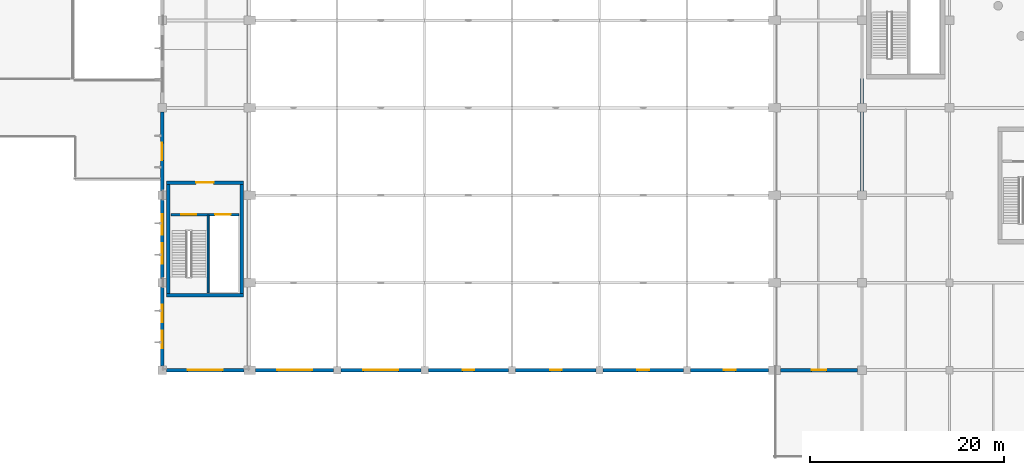
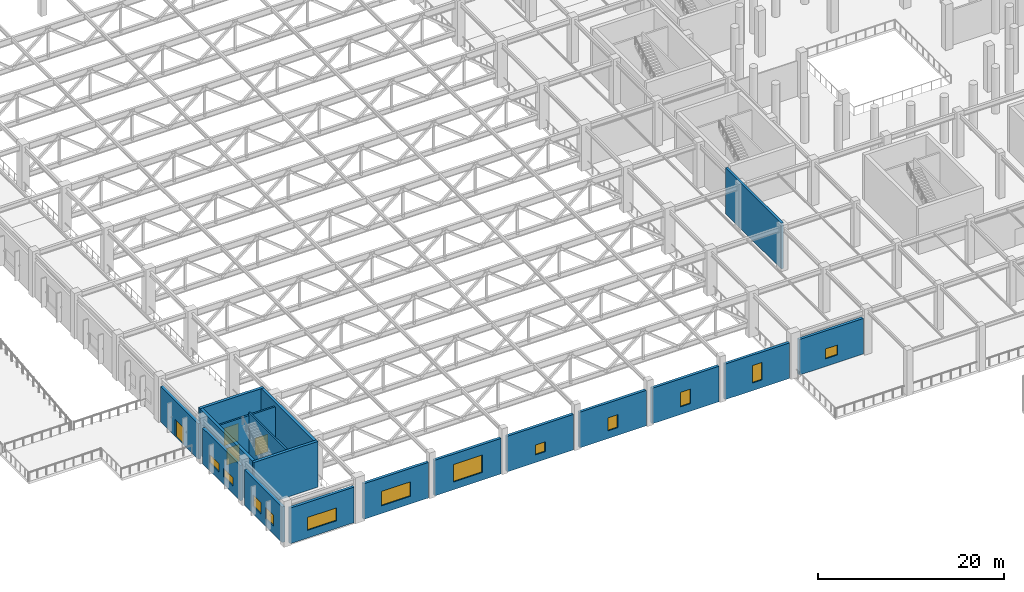
# One storey, part 188 of 223: 18 walls, 12 windows, 4 doors, 16 openings.
"""IFC4 building model written with IfcOpenShell, lengths in metres."""

from ifc_helpers import new_model, si_unit, direction, frame, frame_2d, origin, place, context, subcontext, project, spatial, rectangle, extrude, material, layer, layer_set, type_object, element, fill, save


model = new_model("IFC4")

# Units and contexts
model_context = context("Model", 3, precision=1e-05, world=origin(), true_north=direction((0.0, 1.0)))
body_context = subcontext(model_context, "Body", "Model", "MODEL_VIEW")
ifc_project = project(units=[si_unit("LENGTHUNIT", "METRE"), si_unit("AREAUNIT", "SQUARE_METRE"), si_unit("VOLUMEUNIT", "CUBIC_METRE"), si_unit("PLANEANGLEUNIT", "RADIAN"), si_unit("MASSUNIT", "GRAM", prefix="KILO")], contexts=[model_context])

# Site, building, storey
site_placement = place(None, origin())
site = spatial("IfcSite", under=ifc_project, at=site_placement, CompositionType="ELEMENT")
building_placement = place(site_placement, origin())
building = spatial("IfcBuilding", under=site, at=building_placement, Name="Dornveld Trade and Exhibition Forum", CompositionType="ELEMENT")
storey_placement = place(building_placement, frame((0.0, 0.0, 6.0)))
storey = spatial("IfcBuildingStorey", under=building, at=storey_placement, Name="L01", CompositionType="ELEMENT", Elevation=6.0)

# Wall
ifc_material_1 = material(Name="Concrete C40/50", Category="concrete")
ifc_layer_1 = layer(ifc_material_1, 0.35009765625)
ifc_layer_set_1 = layer_set([ifc_layer_1], Name="Concrete C40/50")
wall_type_1 = type_object("IfcWallType", Name="WL-CORE-350", PredefinedType="SHEAR", material=ifc_layer_set_1)
wall_1_placement = place(storey_placement, frame((18.425048828125, 43.699951171875, 0.0), z_axis=(0.0, 0.0, 1.0), x_axis=(1.0, 0.0, 0.0)))
element("IfcWall", 1, at=wall_1_placement, inside=storey, type_object=wall_type_1, Name="CORE-09 L01 shear wall S", PredefinedType="SHEAR", context=body_context, shape_type="SweptSolid", body=[
    extrude(rectangle(XDim=7.949951171875, YDim=0.35009765625, at=frame_2d((3.97509765625, 0.0))), origin(), (0.0, 0.0, 1.0), 6.0),
])

# Wall, opening, door
wall_2_placement = place(storey_placement, frame((18.425048828125, 55.300048828125, 0.0), z_axis=(0.0, 0.0, 1.0), x_axis=(1.0, 0.0, 0.0)))
wall_2 = element("IfcWall", 2, at=wall_2_placement, inside=storey, type_object=wall_type_1, Name="CORE-09 L01 shear wall N", PredefinedType="SHEAR", context=body_context, shape_type="SweptSolid", body=[
    extrude(rectangle(XDim=7.949951171875, YDim=0.35009765625, at=frame_2d((3.97509765625, 0.0))), origin(), (0.0, 0.0, 1.0), 6.0),
])
opening_1_placement = place(wall_2_placement, frame((3.074951171875, 0.0, 0.0)))
opening_1 = element("IfcOpeningElement", 3, at=opening_1_placement, cuts=wall_2, Name="Opening CD-09-L01", PredefinedType="OPENING", context=body_context, shape_type="SweptSolid", body=[
    extrude(rectangle(XDim=1.800048828125, YDim=2.300048828125, at=frame_2d((0.89990234375, 1.14990234375))), frame((0.0, 0.18505859375, 0.0), z_axis=(0.0, -1.0, 0.0), x_axis=(1.0, 0.0, 0.0)), (0.0, 0.0, 1.0), 0.3701171875),
])
ifc_material_2 = material(Name="Steel fire-rated double door assembly", Category="steel")
door_type_1 = type_object("IfcDoorType", Name="DR-CORE-180x230", OperationType="NOTDEFINED", PredefinedType="DOOR", material=ifc_material_2)
door_1_placement = place(opening_1_placement, origin())
door_1 = element("IfcDoor", 4, at=door_1_placement, inside=storey, type_object=door_type_1, Name="CORE-09 L01 core lobby double fire door", OperationType="DOUBLE_DOOR_SINGLE_SWING", OverallHeight=2.300048828125, OverallWidth=1.800048828125, PredefinedType="DOOR", context=body_context, shape_type="SweptSolid", body=[
    extrude(rectangle(XDim=1.800048828125, YDim=2.300048828125, at=frame_2d((0.89990234375, 1.14990234375))), frame((0.0, 0.02490234375, 0.0), z_axis=(0.0, -1.0, 0.0), x_axis=(1.0, 0.0, 0.0)), (0.0, 0.0, 1.0), 0.050048828125),
])
fill(opening_1, door_1)

# Walls
for number, where, z_axis, x_axis, name in (
    (5, (18.60009765625, 43.875, 0.0), (0.0, 0.0, 1.0), (0.0, 1.0, 0.0), "CORE-09 L01 shear wall W"),
    (6, (26.199951171875, 43.875, 0.0), (0.0, 0.0, 1.0), (0.0, 1.0, 0.0), "CORE-09 L01 shear wall E"),
):
    element("IfcWall", number, at=place(storey_placement, frame(where, z_axis=z_axis, x_axis=x_axis)), inside=storey, type_object=wall_type_1, Name=name, PredefinedType="SHEAR", context=body_context, shape_type="SweptSolid", body=[
        extrude(rectangle(XDim=11.25, YDim=0.35009765625, at=frame_2d((5.625, 0.0))), origin(), (0.0, 0.0, 1.0), 6.0),
    ])
ifc_material_3 = material(Name="Concrete C40/50", Category="concrete")
ifc_layer_2 = layer(ifc_material_3, 0.300048828125)
ifc_layer_set_2 = layer_set([ifc_layer_2], Name="Concrete C40/50")
wall_type_2 = type_object("IfcWallType", Name="WL-DIV-300", PredefinedType="SHEAR", material=ifc_layer_set_2)
wall_3_placement = place(storey_placement, frame((90.0, 54.0, 0.0), z_axis=(0.0, 0.0, 1.0), x_axis=(0.0, 1.0, 0.0)))
element("IfcWall", 7, at=wall_3_placement, inside=storey, type_object=wall_type_2, Name="L01 fire division shear wall 7", PredefinedType="SHEAR", context=body_context, shape_type="SweptSolid", body=[
    extrude(rectangle(XDim=12.0, YDim=0.300048828125, at=frame_2d((6.0, 0.0))), origin(), (0.0, 0.0, 1.0), 6.0),
])

# Wall, openings, windows
ifc_material_4 = material(Name="Precast concrete C50/60", Category="concrete")
ifc_layer_3 = layer(ifc_material_4, 0.340087890625)
ifc_layer_set_3 = layer_set([ifc_layer_3], Name="Precast concrete C50/60")
wall_type_3 = type_object("IfcWallType", Name="WL-EXT-PC340", PredefinedType="SOLIDWALL", material=ifc_layer_set_3)
wall_4_placement = place(storey_placement, frame((18.0, 44.550537109375, 0.0), z_axis=(0.0, 0.0, 1.0), x_axis=(0.0, -1.0, 0.0)))
wall_4 = element("IfcWall", 8, at=wall_4_placement, inside=storey, type_object=wall_type_3, Name="L01 precast facade wall 37", PredefinedType="SOLIDWALL", context=body_context, shape_type="SweptSolid", body=[
    extrude(rectangle(XDim=8.10107421875, YDim=0.340087890625, at=frame_2d((4.050537109375, 0.0))), origin(), (0.0, 0.0, 1.0), 4.659912109375),
])
opening_2_placement = place(wall_4_placement, frame((1.800537109375, 0.0, 1.0)))
opening_2 = element("IfcOpeningElement", 9, at=opening_2_placement, cuts=wall_4, Name="Opening W-17", PredefinedType="OPENING", context=body_context, shape_type="SweptSolid", body=[
    extrude(rectangle(XDim=1.800048828125, YDim=1.5, at=frame_2d((0.89990234375, 0.75))), frame((0.0, 0.179931640625, 0.0), z_axis=(0.0, -1.0, 0.0), x_axis=(1.0, 0.0, 0.0)), (0.0, 0.0, 1.0), 0.360107421875),
])
opening_3_placement = place(wall_4_placement, frame((4.50048828125, 0.0, 1.0)))
opening_3 = element("IfcOpeningElement", 10, at=opening_3_placement, cuts=wall_4, Name="Opening W-17", PredefinedType="OPENING", context=body_context, shape_type="SweptSolid", body=[
    extrude(rectangle(XDim=1.800048828125, YDim=1.5, at=frame_2d((0.89990234375, 0.75))), frame((0.0, 0.179931640625, 0.0), z_axis=(0.0, -1.0, 0.0), x_axis=(1.0, 0.0, 0.0)), (0.0, 0.0, 1.0), 0.360107421875),
])
ifc_material_5 = material(Name="Dark-bronze anodised aluminium and low-E glass", Category="aluminium")
window_type_1 = type_object("IfcWindowType", Name="WIN-AL-17", PartitioningType="SINGLE_PANEL", PredefinedType="WINDOW", material=ifc_material_5)
window_1_placement = place(opening_2_placement, origin())
window_1 = element("IfcWindow", 11, at=window_1_placement, inside=storey, type_object=window_type_1, Name="L01 facade window 17", OverallHeight=1.5, OverallWidth=1.800048828125, PartitioningType="SINGLE_PANEL", PredefinedType="WINDOW", context=body_context, shape_type="SweptSolid", body=[
    extrude(rectangle(XDim=1.800048828125, YDim=1.5, at=frame_2d((0.89990234375, 0.75))), frame((0.0, 0.030029296875, 0.0), z_axis=(0.0, -1.0, 0.0), x_axis=(1.0, 0.0, 0.0)), (0.0, 0.0, 1.0), 0.06005859375),
])
fill(opening_2, window_1)
window_2_placement = place(opening_3_placement, origin())
window_2 = element("IfcWindow", 12, at=window_2_placement, inside=storey, type_object=window_type_1, Name="L01 facade window 18", OverallHeight=1.5, OverallWidth=1.800048828125, PartitioningType="SINGLE_PANEL", PredefinedType="WINDOW", context=body_context, shape_type="SweptSolid", body=[
    extrude(rectangle(XDim=1.800048828125, YDim=1.5, at=frame_2d((0.89990234375, 0.75))), frame((0.0, 0.030029296875, 0.0), z_axis=(0.0, -1.0, 0.0), x_axis=(1.0, 0.0, 0.0)), (0.0, 0.0, 1.0), 0.06005859375),
])
fill(opening_3, window_2)

wall_5_placement = place(storey_placement, frame((18.0, 53.550537109375, 0.0), z_axis=(0.0, 0.0, 1.0), x_axis=(0.0, -1.0, 0.0)))
wall_5 = element("IfcWall", 13, at=wall_5_placement, inside=storey, type_object=wall_type_3, Name="L01 precast facade wall 41", PredefinedType="SOLIDWALL", context=body_context, shape_type="SweptSolid", body=[
    extrude(rectangle(XDim=8.10107421875, YDim=0.340087890625, at=frame_2d((4.050537109375, 0.0))), origin(), (0.0, 0.0, 1.0), 4.659912109375),
])
opening_4_placement = place(wall_5_placement, frame((1.50048828125, 0.0, 1.0)))
opening_4 = element("IfcOpeningElement", 14, at=opening_4_placement, cuts=wall_5, Name="Opening W-22", PredefinedType="OPENING", context=body_context, shape_type="SweptSolid", body=[
    extrude(rectangle(XDim=2.10009765625, YDim=1.10009765625, at=frame_2d((1.050048828125, 0.550048828125))), frame((0.0, 0.179931640625, 0.0), z_axis=(0.0, -1.0, 0.0), x_axis=(1.0, 0.0, 0.0)), (0.0, 0.0, 1.0), 0.360107421875),
])
opening_5_placement = place(wall_5_placement, frame((4.50048828125, 0.0, 1.0)))
opening_5 = element("IfcOpeningElement", 15, at=opening_5_placement, cuts=wall_5, Name="Opening W-22", PredefinedType="OPENING", context=body_context, shape_type="SweptSolid", body=[
    extrude(rectangle(XDim=2.10009765625, YDim=1.10009765625, at=frame_2d((1.050048828125, 0.550048828125))), frame((0.0, 0.179931640625, 0.0), z_axis=(0.0, -1.0, 0.0), x_axis=(1.0, 0.0, 0.0)), (0.0, 0.0, 1.0), 0.360107421875),
])
ifc_material_6 = material(Name="Dark-bronze anodised aluminium and low-E glass", Category="aluminium")
window_type_2 = type_object("IfcWindowType", Name="WIN-AL-22", PartitioningType="DOUBLE_PANEL_VERTICAL", PredefinedType="WINDOW", material=ifc_material_6)
window_3_placement = place(opening_4_placement, origin())
window_3 = element("IfcWindow", 16, at=window_3_placement, inside=storey, type_object=window_type_2, Name="L01 facade window 22", OverallHeight=1.10009765625, OverallWidth=2.10009765625, PartitioningType="SINGLE_PANEL", PredefinedType="WINDOW", context=body_context, shape_type="SweptSolid", body=[
    extrude(rectangle(XDim=2.10009765625, YDim=1.10009765625, at=frame_2d((1.050048828125, 0.550048828125))), frame((0.0, 0.030029296875, 0.0), z_axis=(0.0, -1.0, 0.0), x_axis=(1.0, 0.0, 0.0)), (0.0, 0.0, 1.0), 0.06005859375),
])
fill(opening_4, window_3)
window_4_placement = place(opening_5_placement, origin())
window_4 = element("IfcWindow", 17, at=window_4_placement, inside=storey, type_object=window_type_2, Name="L01 facade window 23", OverallHeight=1.10009765625, OverallWidth=2.10009765625, PartitioningType="SINGLE_PANEL", PredefinedType="WINDOW", context=body_context, shape_type="SweptSolid", body=[
    extrude(rectangle(XDim=2.10009765625, YDim=1.10009765625, at=frame_2d((1.050048828125, 0.550048828125))), frame((0.0, 0.030029296875, 0.0), z_axis=(0.0, -1.0, 0.0), x_axis=(1.0, 0.0, 0.0)), (0.0, 0.0, 1.0), 0.06005859375),
])
fill(opening_5, window_4)

# Wall, opening, door
wall_6_placement = place(storey_placement, frame((18.0, 62.550537109375, 0.0), z_axis=(0.0, 0.0, 1.0), x_axis=(0.0, -1.0, 0.0)))
wall_6 = element("IfcWall", 18, at=wall_6_placement, inside=storey, type_object=wall_type_3, Name="L01 precast facade wall 45", PredefinedType="SOLIDWALL", context=body_context, shape_type="SweptSolid", body=[
    extrude(rectangle(XDim=8.10107421875, YDim=0.340087890625, at=frame_2d((4.050537109375, 0.0))), origin(), (0.0, 0.0, 1.0), 4.659912109375),
])
opening_6_placement = place(wall_6_placement, frame((3.150390625, 0.0, 0.0)))
opening_6 = element("IfcOpeningElement", 19, at=opening_6_placement, cuts=wall_6, Name="Opening TD-11", PredefinedType="OPENING", context=body_context, shape_type="SweptSolid", body=[
    extrude(rectangle(XDim=1.800048828125, YDim=2.199951171875, at=frame_2d((0.89990234375, 1.10009765625))), frame((0.0, 0.179931640625, 0.0), z_axis=(0.0, -1.0, 0.0), x_axis=(1.0, 0.0, 0.0)), (0.0, 0.0, 1.0), 0.360107421875),
])
ifc_material_7 = material(Name="Dark-bronze anodised aluminium and laminated safety glass", Category="aluminium")
door_type_2 = type_object("IfcDoorType", Name="DR-TER-180x220", OperationType="NOTDEFINED", PredefinedType="DOOR", material=ifc_material_7)
door_2_placement = place(opening_6_placement, frame((1.800048828125, 0.0, 0.0), z_axis=(0.0, 0.0, 1.0), x_axis=(-1.0, 0.0, 0.0)))
door_2 = element("IfcDoor", 20, at=door_2_placement, inside=storey, type_object=door_type_2, Name="L01 terrace access door 11", OperationType="SINGLE_SWING_LEFT", OverallHeight=2.199951171875, OverallWidth=1.800048828125, PredefinedType="DOOR", context=body_context, shape_type="SweptSolid", body=[
    extrude(rectangle(XDim=1.800048828125, YDim=2.199951171875, at=frame_2d((0.89990234375, 1.10009765625))), frame((0.0, 0.02490234375, 0.0), z_axis=(0.0, -1.0, 0.0), x_axis=(1.0, 0.0, 0.0)), (0.0, 0.0, 1.0), 0.050048828125),
])
fill(opening_6, door_2)

# Wall, opening, window
wall_7_placement = place(storey_placement, frame((18.449462890625, 36.0, 0.0), z_axis=(0.0, 0.0, 1.0), x_axis=(1.0, 0.0, 0.0)))
wall_7 = element("IfcWall", 21, at=wall_7_placement, inside=storey, type_object=wall_type_3, Name="L01 precast facade wall 81", PredefinedType="SOLIDWALL", context=body_context, shape_type="SweptSolid", body=[
    extrude(rectangle(XDim=7.950927734375, YDim=0.340087890625, at=frame_2d((3.9755859375, 0.0))), origin(), (0.0, 0.0, 1.0), 4.659912109375),
])
opening_7_placement = place(wall_7_placement, frame((2.175537109375, 0.0, 1.0)))
opening_7 = element("IfcOpeningElement", 22, at=opening_7_placement, cuts=wall_7, Name="Opening W-60", PredefinedType="OPENING", context=body_context, shape_type="SweptSolid", body=[
    extrude(rectangle(XDim=3.60009765625, YDim=1.699951171875, at=frame_2d((1.800048828125, 0.85009765625))), frame((0.0, 0.179931640625, 0.0), z_axis=(0.0, -1.0, 0.0), x_axis=(1.0, 0.0, 0.0)), (0.0, 0.0, 1.0), 0.360107421875),
])
ifc_material_8 = material(Name="Dark-bronze anodised aluminium and low-E glass", Category="aluminium")
window_type_3 = type_object("IfcWindowType", Name="WIN-AL-60", PartitioningType="DOUBLE_PANEL_VERTICAL", PredefinedType="WINDOW", material=ifc_material_8)
window_5_placement = place(opening_7_placement, origin())
window_5 = element("IfcWindow", 23, at=window_5_placement, inside=storey, type_object=window_type_3, Name="L01 facade window 60", OverallHeight=1.699951171875, OverallWidth=3.60009765625, PartitioningType="SINGLE_PANEL", PredefinedType="WINDOW", context=body_context, shape_type="SweptSolid", body=[
    extrude(rectangle(XDim=3.60009765625, YDim=1.699951171875, at=frame_2d((1.800048828125, 0.85009765625))), frame((0.0, 0.030029296875, 0.0), z_axis=(0.0, -1.0, 0.0), x_axis=(1.0, 0.0, 0.0)), (0.0, 0.0, 1.0), 0.06005859375),
])
fill(opening_7, window_5)

wall_8_placement = place(storey_placement, frame((27.599609375, 36.0, 0.0), z_axis=(0.0, 0.0, 1.0), x_axis=(1.0, 0.0, 0.0)))
wall_8 = element("IfcWall", 24, at=wall_8_placement, inside=storey, type_object=wall_type_3, Name="L01 precast facade wall 83", PredefinedType="SOLIDWALL", context=body_context, shape_type="SweptSolid", body=[
    extrude(rectangle(XDim=8.02587890625, YDim=0.340087890625, at=frame_2d((4.012939453125, 0.0))), origin(), (0.0, 0.0, 1.0), 4.659912109375),
])
opening_8_placement = place(wall_8_placement, frame((2.212890625, 0.0, 1.0)))
opening_8 = element("IfcOpeningElement", 25, at=opening_8_placement, cuts=wall_8, Name="Opening W-61", PredefinedType="OPENING", context=body_context, shape_type="SweptSolid", body=[
    extrude(rectangle(XDim=3.60009765625, YDim=1.89990234375, at=frame_2d((1.800048828125, 0.949951171875))), frame((0.0, 0.179931640625, 0.0), z_axis=(0.0, -1.0, 0.0), x_axis=(1.0, 0.0, 0.0)), (0.0, 0.0, 1.0), 0.360107421875),
])
ifc_material_9 = material(Name="Dark-bronze anodised aluminium and low-E glass", Category="aluminium")
window_type_4 = type_object("IfcWindowType", Name="WIN-AL-61", PartitioningType="DOUBLE_PANEL_VERTICAL", PredefinedType="WINDOW", material=ifc_material_9)
window_6_placement = place(opening_8_placement, origin())
window_6 = element("IfcWindow", 26, at=window_6_placement, inside=storey, type_object=window_type_4, Name="L01 facade window 61", OverallHeight=1.89990234375, OverallWidth=3.60009765625, PartitioningType="SINGLE_PANEL", PredefinedType="WINDOW", context=body_context, shape_type="SweptSolid", body=[
    extrude(rectangle(XDim=3.60009765625, YDim=1.89990234375, at=frame_2d((1.800048828125, 0.949951171875))), frame((0.0, 0.030029296875, 0.0), z_axis=(0.0, -1.0, 0.0), x_axis=(1.0, 0.0, 0.0)), (0.0, 0.0, 1.0), 0.06005859375),
])
fill(opening_8, window_6)

wall_9_placement = place(storey_placement, frame((36.37451171875, 36.0, 0.0), z_axis=(0.0, 0.0, 1.0), x_axis=(1.0, 0.0, 0.0)))
wall_9 = element("IfcWall", 27, at=wall_9_placement, inside=storey, type_object=wall_type_3, Name="L01 precast facade wall 85", PredefinedType="SOLIDWALL", context=body_context, shape_type="SweptSolid", body=[
    extrude(rectangle(XDim=8.2509765625, YDim=0.340087890625, at=frame_2d((4.12548828125, 0.0))), origin(), (0.0, 0.0, 1.0), 4.659912109375),
])
opening_9_placement = place(wall_9_placement, frame((2.325439453125, 0.0, 1.0)))
opening_9 = element("IfcOpeningElement", 28, at=opening_9_placement, cuts=wall_9, Name="Opening W-63", PredefinedType="OPENING", context=body_context, shape_type="SweptSolid", body=[
    extrude(rectangle(XDim=3.60009765625, YDim=2.300048828125, at=frame_2d((1.800048828125, 1.14990234375))), frame((0.0, 0.179931640625, 0.0), z_axis=(0.0, -1.0, 0.0), x_axis=(1.0, 0.0, 0.0)), (0.0, 0.0, 1.0), 0.360107421875),
])
ifc_material_10 = material(Name="Dark-bronze anodised aluminium and low-E glass", Category="aluminium")
window_type_5 = type_object("IfcWindowType", Name="WIN-AL-63", PartitioningType="DOUBLE_PANEL_VERTICAL", PredefinedType="WINDOW", material=ifc_material_10)
window_7_placement = place(opening_9_placement, origin())
window_7 = element("IfcWindow", 29, at=window_7_placement, inside=storey, type_object=window_type_5, Name="L01 facade window 63", OverallHeight=2.300048828125, OverallWidth=3.60009765625, PartitioningType="SINGLE_PANEL", PredefinedType="WINDOW", context=body_context, shape_type="SweptSolid", body=[
    extrude(rectangle(XDim=3.60009765625, YDim=2.300048828125, at=frame_2d((1.800048828125, 1.14990234375))), frame((0.0, 0.030029296875, 0.0), z_axis=(0.0, -1.0, 0.0), x_axis=(1.0, 0.0, 0.0)), (0.0, 0.0, 1.0), 0.06005859375),
])
fill(opening_9, window_7)

wall_10_placement = place(storey_placement, frame((45.37451171875, 36.0, 0.0), z_axis=(0.0, 0.0, 1.0), x_axis=(1.0, 0.0, 0.0)))
wall_10 = element("IfcWall", 30, at=wall_10_placement, inside=storey, type_object=wall_type_3, Name="L01 precast facade wall 87", PredefinedType="SOLIDWALL", context=body_context, shape_type="SweptSolid", body=[
    extrude(rectangle(XDim=8.2509765625, YDim=0.340087890625, at=frame_2d((4.12548828125, 0.0))), origin(), (0.0, 0.0, 1.0), 4.659912109375),
])
opening_10_placement = place(wall_10_placement, frame((3.525390625, 0.0, 1.0)))
opening_10 = element("IfcOpeningElement", 31, at=opening_10_placement, cuts=wall_10, Name="Opening W-02", PredefinedType="OPENING", context=body_context, shape_type="SweptSolid", body=[
    extrude(rectangle(XDim=1.199951171875, YDim=1.300048828125, at=frame_2d((0.60009765625, 0.64990234375))), frame((0.0, 0.179931640625, 0.0), z_axis=(0.0, -1.0, 0.0), x_axis=(1.0, 0.0, 0.0)), (0.0, 0.0, 1.0), 0.360107421875),
])
ifc_material_11 = material(Name="Dark-bronze anodised aluminium and low-E glass", Category="aluminium")
window_type_6 = type_object("IfcWindowType", Name="WIN-AL-02", PartitioningType="SINGLE_PANEL", PredefinedType="WINDOW", material=ifc_material_11)
window_8_placement = place(opening_10_placement, origin())
window_8 = element("IfcWindow", 32, at=window_8_placement, inside=storey, type_object=window_type_6, Name="L01 facade window 65", OverallHeight=1.300048828125, OverallWidth=1.199951171875, PartitioningType="SINGLE_PANEL", PredefinedType="WINDOW", context=body_context, shape_type="SweptSolid", body=[
    extrude(rectangle(XDim=1.199951171875, YDim=1.300048828125, at=frame_2d((0.60009765625, 0.64990234375))), frame((0.0, 0.030029296875, 0.0), z_axis=(0.0, -1.0, 0.0), x_axis=(1.0, 0.0, 0.0)), (0.0, 0.0, 1.0), 0.06005859375),
])
fill(opening_10, window_8)

wall_11_placement = place(storey_placement, frame((54.37451171875, 36.0, 0.0), z_axis=(0.0, 0.0, 1.0), x_axis=(1.0, 0.0, 0.0)))
wall_11 = element("IfcWall", 33, at=wall_11_placement, inside=storey, type_object=wall_type_3, Name="L01 precast facade wall 89", PredefinedType="SOLIDWALL", context=body_context, shape_type="SweptSolid", body=[
    extrude(rectangle(XDim=8.2509765625, YDim=0.340087890625, at=frame_2d((4.12548828125, 0.0))), origin(), (0.0, 0.0, 1.0), 4.659912109375),
])
opening_11_placement = place(wall_11_placement, frame((3.525390625, 0.0, 1.0)))
opening_11 = element("IfcOpeningElement", 34, at=opening_11_placement, cuts=wall_11, Name="Opening W-04", PredefinedType="OPENING", context=body_context, shape_type="SweptSolid", body=[
    extrude(rectangle(XDim=1.199951171875, YDim=1.699951171875, at=frame_2d((0.60009765625, 0.85009765625))), frame((0.0, 0.179931640625, 0.0), z_axis=(0.0, -1.0, 0.0), x_axis=(1.0, 0.0, 0.0)), (0.0, 0.0, 1.0), 0.360107421875),
])
ifc_material_12 = material(Name="Dark-bronze anodised aluminium and low-E glass", Category="aluminium")
window_type_7 = type_object("IfcWindowType", Name="WIN-AL-04", PartitioningType="SINGLE_PANEL", PredefinedType="WINDOW", material=ifc_material_12)
window_9_placement = place(opening_11_placement, origin())
window_9 = element("IfcWindow", 35, at=window_9_placement, inside=storey, type_object=window_type_7, Name="L01 facade window 67", OverallHeight=1.699951171875, OverallWidth=1.199951171875, PartitioningType="SINGLE_PANEL", PredefinedType="WINDOW", context=body_context, shape_type="SweptSolid", body=[
    extrude(rectangle(XDim=1.199951171875, YDim=1.699951171875, at=frame_2d((0.60009765625, 0.85009765625))), frame((0.0, 0.030029296875, 0.0), z_axis=(0.0, -1.0, 0.0), x_axis=(1.0, 0.0, 0.0)), (0.0, 0.0, 1.0), 0.06005859375),
])
fill(opening_11, window_9)

wall_12_placement = place(storey_placement, frame((63.37451171875, 36.0, 0.0), z_axis=(0.0, 0.0, 1.0), x_axis=(1.0, 0.0, 0.0)))
wall_12 = element("IfcWall", 36, at=wall_12_placement, inside=storey, type_object=wall_type_3, Name="L01 precast facade wall 91", PredefinedType="SOLIDWALL", context=body_context, shape_type="SweptSolid", body=[
    extrude(rectangle(XDim=8.2509765625, YDim=0.340087890625, at=frame_2d((4.12548828125, 0.0))), origin(), (0.0, 0.0, 1.0), 4.659912109375),
])
opening_12_placement = place(wall_12_placement, frame((3.525390625, 0.0, 1.0)))
opening_12 = element("IfcOpeningElement", 37, at=opening_12_placement, cuts=wall_12, Name="Opening W-05", PredefinedType="OPENING", context=body_context, shape_type="SweptSolid", body=[
    extrude(rectangle(XDim=1.199951171875, YDim=1.89990234375, at=frame_2d((0.60009765625, 0.949951171875))), frame((0.0, 0.179931640625, 0.0), z_axis=(0.0, -1.0, 0.0), x_axis=(1.0, 0.0, 0.0)), (0.0, 0.0, 1.0), 0.360107421875),
])
ifc_material_13 = material(Name="Dark-bronze anodised aluminium and low-E glass", Category="aluminium")
window_type_8 = type_object("IfcWindowType", Name="WIN-AL-05", PartitioningType="SINGLE_PANEL", PredefinedType="WINDOW", material=ifc_material_13)
window_10_placement = place(opening_12_placement, origin())
window_10 = element("IfcWindow", 38, at=window_10_placement, inside=storey, type_object=window_type_8, Name="L01 facade window 68", OverallHeight=1.89990234375, OverallWidth=1.199951171875, PartitioningType="SINGLE_PANEL", PredefinedType="WINDOW", context=body_context, shape_type="SweptSolid", body=[
    extrude(rectangle(XDim=1.199951171875, YDim=1.89990234375, at=frame_2d((0.60009765625, 0.949951171875))), frame((0.0, 0.030029296875, 0.0), z_axis=(0.0, -1.0, 0.0), x_axis=(1.0, 0.0, 0.0)), (0.0, 0.0, 1.0), 0.06005859375),
])
fill(opening_12, window_10)

wall_13_placement = place(storey_placement, frame((72.37451171875, 36.0, 0.0), z_axis=(0.0, 0.0, 1.0), x_axis=(1.0, 0.0, 0.0)))
wall_13 = element("IfcWall", 39, at=wall_13_placement, inside=storey, type_object=wall_type_3, Name="L01 precast facade wall 93", PredefinedType="SOLIDWALL", context=body_context, shape_type="SweptSolid", body=[
    extrude(rectangle(XDim=8.02587890625, YDim=0.340087890625, at=frame_2d((4.012939453125, 0.0))), origin(), (0.0, 0.0, 1.0), 4.659912109375),
])
opening_13_placement = place(wall_13_placement, frame((3.4130859375, 0.0, 1.0)))
opening_13 = element("IfcOpeningElement", 40, at=opening_13_placement, cuts=wall_13, Name="Opening W-07", PredefinedType="OPENING", context=body_context, shape_type="SweptSolid", body=[
    extrude(rectangle(XDim=1.199951171875, YDim=2.300048828125, at=frame_2d((0.60009765625, 1.14990234375))), frame((0.0, 0.179931640625, 0.0), z_axis=(0.0, -1.0, 0.0), x_axis=(1.0, 0.0, 0.0)), (0.0, 0.0, 1.0), 0.360107421875),
])
ifc_material_14 = material(Name="Dark-bronze anodised aluminium and low-E glass", Category="aluminium")
window_type_9 = type_object("IfcWindowType", Name="WIN-AL-07", PartitioningType="SINGLE_PANEL", PredefinedType="WINDOW", material=ifc_material_14)
window_11_placement = place(opening_13_placement, origin())
window_11 = element("IfcWindow", 41, at=window_11_placement, inside=storey, type_object=window_type_9, Name="L01 facade window 70", OverallHeight=2.300048828125, OverallWidth=1.199951171875, PartitioningType="SINGLE_PANEL", PredefinedType="WINDOW", context=body_context, shape_type="SweptSolid", body=[
    extrude(rectangle(XDim=1.199951171875, YDim=2.300048828125, at=frame_2d((0.60009765625, 1.14990234375))), frame((0.0, 0.030029296875, 0.0), z_axis=(0.0, -1.0, 0.0), x_axis=(1.0, 0.0, 0.0)), (0.0, 0.0, 1.0), 0.06005859375),
])
fill(opening_13, window_11)

wall_14_placement = place(storey_placement, frame((81.599609375, 36.0, 0.0), z_axis=(0.0, 0.0, 1.0), x_axis=(1.0, 0.0, 0.0)))
wall_14 = element("IfcWall", 42, at=wall_14_placement, inside=storey, type_object=wall_type_3, Name="L01 precast facade wall 95", PredefinedType="SOLIDWALL", context=body_context, shape_type="SweptSolid", body=[
    extrude(rectangle(XDim=7.950927734375, YDim=0.340087890625, at=frame_2d((3.9755859375, 0.0))), origin(), (0.0, 0.0, 1.0), 4.659912109375),
])
opening_14_placement = place(wall_14_placement, frame((3.2255859375, 0.0, 1.0)))
opening_14 = element("IfcOpeningElement", 43, at=opening_14_placement, cuts=wall_14, Name="Opening W-09", PredefinedType="OPENING", context=body_context, shape_type="SweptSolid", body=[
    extrude(rectangle(XDim=1.5, YDim=1.300048828125, at=frame_2d((0.75, 0.64990234375))), frame((0.0, 0.179931640625, 0.0), z_axis=(0.0, -1.0, 0.0), x_axis=(1.0, 0.0, 0.0)), (0.0, 0.0, 1.0), 0.360107421875),
])
ifc_material_15 = material(Name="Dark-bronze anodised aluminium and low-E glass", Category="aluminium")
window_type_10 = type_object("IfcWindowType", Name="WIN-AL-09", PartitioningType="SINGLE_PANEL", PredefinedType="WINDOW", material=ifc_material_15)
window_12_placement = place(opening_14_placement, origin())
window_12 = element("IfcWindow", 44, at=window_12_placement, inside=storey, type_object=window_type_10, Name="L01 facade window 72", OverallHeight=1.300048828125, OverallWidth=1.5, PartitioningType="SINGLE_PANEL", PredefinedType="WINDOW", context=body_context, shape_type="SweptSolid", body=[
    extrude(rectangle(XDim=1.5, YDim=1.300048828125, at=frame_2d((0.75, 0.64990234375))), frame((0.0, 0.030029296875, 0.0), z_axis=(0.0, -1.0, 0.0), x_axis=(1.0, 0.0, 0.0)), (0.0, 0.0, 1.0), 0.06005859375),
])
fill(opening_14, window_12)

# Wall, openings, doors
ifc_material_16 = material(Name="Concrete C40/50", Category="concrete")
ifc_layer_4 = layer(ifc_material_16, 0.219970703125)
ifc_layer_set_4 = layer_set([ifc_layer_4], Name="Concrete C40/50")
wall_type_4 = type_object("IfcWallType", Name="WL-INT-LOB220", PredefinedType="SOLIDWALL", material=ifc_layer_set_4)
wall_15_placement = place(storey_placement, frame((18.89990234375, 52.0, 0.0), z_axis=(0.0, 0.0, 1.0), x_axis=(1.0, 0.0, 0.0)))
wall_15 = element("IfcWall", 45, at=wall_15_placement, inside=storey, type_object=wall_type_4, Name="CORE-09 L01 protected lobby bulkhead wall", PredefinedType="SOLIDWALL", context=body_context, shape_type="SweptSolid", body=[
    extrude(rectangle(XDim=7.0, YDim=0.219970703125, at=frame_2d((3.5, 0.0))), origin(), (0.0, 0.0, 1.0), 5.6201171875),
])
opening_15_placement = place(wall_15_placement, frame((1.050048828125, 0.0, 0.0)))
opening_15 = element("IfcOpeningElement", 46, at=opening_15_placement, cuts=wall_15, Name="Opening SD-09-L01", PredefinedType="OPENING", context=body_context, shape_type="SweptSolid", body=[
    extrude(rectangle(XDim=1.550048828125, YDim=2.199951171875, at=frame_2d((0.77490234375, 1.10009765625))), frame((0.0, 0.119873046875, 0.0), z_axis=(0.0, -1.0, 0.0), x_axis=(1.0, 0.0, 0.0)), (0.0, 0.0, 1.0), 0.239990234375),
])
opening_16_placement = place(wall_15_placement, frame((4.550048828125, 0.0, 0.0)))
opening_16 = element("IfcOpeningElement", 47, at=opening_16_placement, cuts=wall_15, Name="Opening LD-09-L01", PredefinedType="OPENING", context=body_context, shape_type="SweptSolid", body=[
    extrude(rectangle(XDim=1.60009765625, YDim=2.300048828125, at=frame_2d((0.800048828125, 1.14990234375))), frame((0.0, 0.119873046875, 0.0), z_axis=(0.0, -1.0, 0.0), x_axis=(1.0, 0.0, 0.0)), (0.0, 0.0, 1.0), 0.239990234375),
])
ifc_material_17 = material(Name="Heavy-duty steel sliding freight lift landing door", Category="steel")
door_type_3 = type_object("IfcDoorType", Name="DR-LIFT-160x230", OperationType="NOTDEFINED", PredefinedType="DOOR", material=ifc_material_17)
door_3_placement = place(opening_16_placement, origin())
door_3 = element("IfcDoor", 48, at=door_3_placement, inside=storey, type_object=door_type_3, Name="CORE-09 L01 lift sliding landing door", OperationType="SLIDING_TO_LEFT", OverallHeight=2.300048828125, OverallWidth=1.60009765625, PredefinedType="DOOR", context=body_context, shape_type="SweptSolid", body=[
    extrude(rectangle(XDim=1.60009765625, YDim=2.300048828125, at=frame_2d((0.800048828125, 1.14990234375))), frame((0.0, 0.02490234375, 0.0), z_axis=(0.0, -1.0, 0.0), x_axis=(1.0, 0.0, 0.0)), (0.0, 0.0, 1.0), 0.050048828125),
])
fill(opening_16, door_3)
ifc_material_18 = material(Name="Steel fire-rated stair door assembly", Category="steel")
door_type_4 = type_object("IfcDoorType", Name="DR-STAIR-155x220", OperationType="NOTDEFINED", PredefinedType="DOOR", material=ifc_material_18)
door_4_placement = place(opening_15_placement, origin())
door_4 = element("IfcDoor", 49, at=door_4_placement, inside=storey, type_object=door_type_4, Name="CORE-09 L01 protected stair door", OperationType="SINGLE_SWING_LEFT", OverallHeight=2.199951171875, OverallWidth=1.550048828125, PredefinedType="DOOR", context=body_context, shape_type="SweptSolid", body=[
    extrude(rectangle(XDim=1.550048828125, YDim=2.199951171875, at=frame_2d((0.77490234375, 1.10009765625))), frame((0.0, 0.02490234375, 0.0), z_axis=(0.0, -1.0, 0.0), x_axis=(1.0, 0.0, 0.0)), (0.0, 0.0, 1.0), 0.050048828125),
])
fill(opening_15, door_4)

# Wall
ifc_material_19 = material(Name="Concrete C40/50", Category="concrete")
ifc_layer_5 = layer(ifc_material_19, 0.199951171875)
ifc_layer_set_5 = layer_set([ifc_layer_5], Name="Concrete C40/50")
wall_type_5 = type_object("IfcWallType", Name="WL-INT-SHAFT200", PredefinedType="SOLIDWALL", material=ifc_layer_set_5)
wall_16_placement = place(storey_placement, frame((22.719970703125, 43.949951171875, 0.0), z_axis=(0.0, 0.0, 1.0), x_axis=(0.0, 1.0, 0.0)))
element("IfcWall", 50, at=wall_16_placement, inside=storey, type_object=wall_type_5, Name="CORE-09 L01 lift-stair structural shaft wall", PredefinedType="SOLIDWALL", context=body_context, shape_type="SweptSolid", body=[
    extrude(rectangle(XDim=8.0, YDim=0.199951171875, at=frame_2d((4.0, 0.0))), origin(), (0.0, 0.0, 1.0), 6.0),
])

save(model, "model.ifc")
